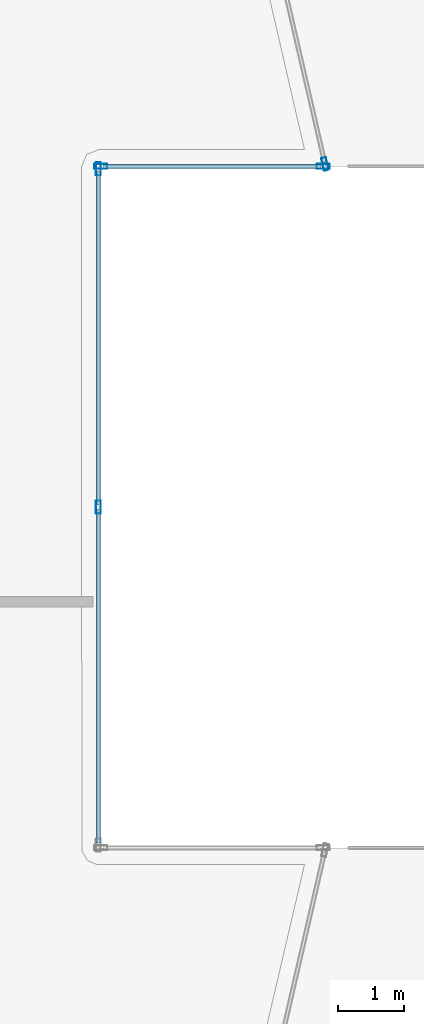
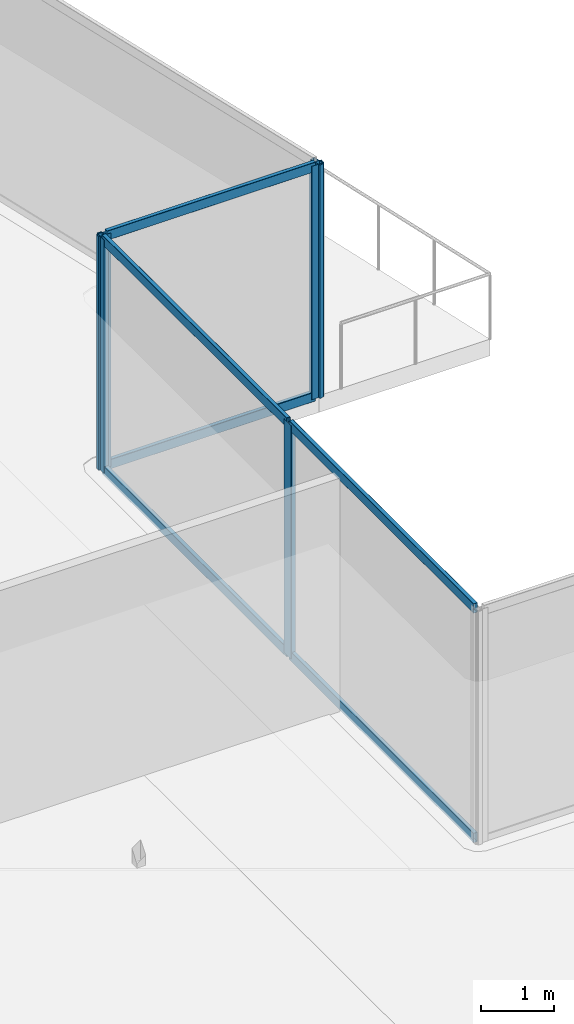
# One storey, part 25 of 47: 11 members, 3 elements without a shape of their own.
"""IFC4 building model written with IfcOpenShell, lengths in metres."""

from ifc_helpers import new_model, si_unit, direction, frame, origin, origin_2d, place, context, subcontext, project, spatial, hollow_rectangle, extrude, material, layer, layer_set, material_profile, profile_set, type_object, element, aggregate, save


model = new_model("IFC4")

# Units and contexts
model_context = context("Model", 3, precision=1e-05, world=origin(), true_north=direction((0.0, 1.0)))
body_context = subcontext(model_context, "Body", "Model", "MODEL_VIEW")
ifc_project = project(units=[si_unit("LENGTHUNIT", "METRE"), si_unit("AREAUNIT", "SQUARE_METRE"), si_unit("VOLUMEUNIT", "CUBIC_METRE"), si_unit("PLANEANGLEUNIT", "RADIAN"), si_unit("MASSUNIT", "GRAM", prefix="KILO")], contexts=[model_context])

# Site, building, storey
site_placement = place(None, origin())
site = spatial("IfcSite", under=ifc_project, at=site_placement, CompositionType="ELEMENT")
building_placement = place(site_placement, origin())
building = spatial("IfcBuilding", under=site, at=building_placement, Name="Qorvath Tower", CompositionType="ELEMENT")
storey_placement = place(building_placement, frame((0.0, 0.0, 74.39990234375)))
storey = spatial("IfcBuildingStorey", under=building, at=storey_placement, Name="L16", CompositionType="ELEMENT", Elevation=74.39990234375)

# Curtain wall, members
ifc_material_1 = material(Name="Anodised aluminium and triple low-E glass", Category="aluminium")
ifc_layer = layer(ifc_material_1, 0.179931640625)
ifc_layer_set = layer_set([ifc_layer], Name="CW-SYS-5")
curtain_wall_type = type_object("IfcCurtainWallType", Name="CW-SYS-5", PredefinedType="NOTDEFINED", material=ifc_layer_set)
curtain_wall_1_placement = place(storey_placement, origin())
curtain_wall_1 = element("IfcCurtainWall", 1, at=curtain_wall_1_placement, inside=storey, type_object=curtain_wall_type, Name="Curtain Wall CW-5 CW-T-L16-13.1", PredefinedType="NOTDEFINED")
ifc_material_2 = material(Name="Anodised aluminium 6063-T6", Category="aluminium")
ifc_material_profile_1 = material_profile(ifc_material_2, hollow_rectangle(XDim=0.074951171875, YDim=0.199951171875, WallThickness=0.00390625, InnerFilletRadius=0.00390625, OuterFilletRadius=0.008056640625, at=origin_2d()), Name="CWM 200x75")
ifc_profile_set_1 = profile_set([ifc_material_profile_1], Name="Anodised aluminium 6063-T6")
member_type_1 = type_object("IfcMemberType", Name="CWM-200", PredefinedType="MULLION", material=ifc_profile_set_1)
member_1_placement = place(storey_placement, frame((2.69580078125, 0.0, 0.0), z_axis=(0.0, 0.0, 1.0), x_axis=(-1.0, 0.0, 0.0)))
member_1 = element("IfcMember", 2, at=member_1_placement, type_object=member_type_1, Name="CW-5 mullion 2", PredefinedType="MULLION", context=body_context, shape_type="SweptSolid", body=[
    extrude(hollow_rectangle(XDim=0.074951171875, YDim=0.199951171875, WallThickness=0.00390625, InnerFilletRadius=0.00390625, OuterFilletRadius=0.008056640625, at=origin_2d()), origin(), (0.0, 0.0, 1.0), 3.920166015625),
])
member_2_placement = place(storey_placement, frame((2.69580078125, 5.146484375, 0.0), z_axis=(0.0, 0.0, 1.0), x_axis=(-1.0, 0.0, 0.0)))
member_2 = element("IfcMember", 3, at=member_2_placement, type_object=member_type_1, Name="CW-5 mullion 3", PredefinedType="MULLION", context=body_context, shape_type="SweptSolid", body=[
    extrude(hollow_rectangle(XDim=0.074951171875, YDim=0.199951171875, WallThickness=0.00390625, InnerFilletRadius=0.00390625, OuterFilletRadius=0.008056640625, at=origin_2d()), origin(), (0.0, 0.0, 1.0), 3.920166015625),
])

curtain_wall_2_placement = place(storey_placement, origin())
curtain_wall_2 = element("IfcCurtainWall", 4, at=curtain_wall_2_placement, inside=storey, type_object=curtain_wall_type, Name="Curtain Wall CW-5 CW-T-L16-14.1", PredefinedType="NOTDEFINED")
member_3_placement = place(storey_placement, frame((2.7333984375, 5.18408203125, 0.0), z_axis=(0.0, 0.0, 1.0), x_axis=(0.0, 1.0, 0.0)))
member_3 = element("IfcMember", 5, at=member_3_placement, type_object=member_type_1, Name="CW-5 mullion 1", PredefinedType="MULLION", context=body_context, shape_type="SweptSolid", body=[
    extrude(hollow_rectangle(XDim=0.074951171875, YDim=0.199951171875, WallThickness=0.00390625, InnerFilletRadius=0.00390625, OuterFilletRadius=0.008056640625, at=origin_2d()), origin(), (0.0, 0.0, 1.0), 3.920166015625),
])
member_4_placement = place(storey_placement, frame((6.114501953125, 5.18408203125, 0.0), z_axis=(0.0, 0.0, 1.0), x_axis=(0.0, 1.0, 0.0)))
member_4 = element("IfcMember", 6, at=member_4_placement, type_object=member_type_1, Name="CW-5 mullion 2", PredefinedType="MULLION", context=body_context, shape_type="SweptSolid", body=[
    extrude(hollow_rectangle(XDim=0.074951171875, YDim=0.199951171875, WallThickness=0.00390625, InnerFilletRadius=0.00390625, OuterFilletRadius=0.008056640625, at=origin_2d()), origin(), (0.0, 0.0, 1.0), 3.920166015625),
])

# Curtain wall, member
curtain_wall_3_placement = place(storey_placement, origin())
curtain_wall_3 = element("IfcCurtainWall", 7, at=curtain_wall_3_placement, inside=storey, type_object=curtain_wall_type, Name="Curtain Wall CW-5 CW-T-L16-15.1", PredefinedType="NOTDEFINED")
member_5_placement = place(storey_placement, frame((6.1435546875, 5.220703125, 0.0), z_axis=(0.0, 0.0, 1.0), x_axis=(-0.97438839911, -0.224871624887, 0.0)))
member_5 = element("IfcMember", 8, at=member_5_placement, type_object=member_type_1, Name="CW-5 mullion 1", PredefinedType="MULLION", context=body_context, shape_type="SweptSolid", body=[
    extrude(hollow_rectangle(XDim=0.074951171875, YDim=0.199951171875, WallThickness=0.00390625, InnerFilletRadius=0.00390625, OuterFilletRadius=0.008056640625, at=origin_2d()), origin(), (0.0, 0.0, 1.0), 3.920166015625),
])
aggregate(curtain_wall_3, [member_5])

# Member
ifc_material_3 = material(Name="Anodised aluminium 6063-T6", Category="aluminium")
ifc_material_profile_2 = material_profile(ifc_material_3, hollow_rectangle(XDim=0.06494140625, YDim=0.159912109375, WallThickness=0.00341796875, InnerFilletRadius=0.00341796875, OuterFilletRadius=0.007080078125, at=origin_2d()), Name="CWT 160x65")
ifc_profile_set_2 = profile_set([ifc_material_profile_2], Name="Anodised aluminium 6063-T6")
member_type_2 = type_object("IfcMemberType", Name="CWT-160", PredefinedType="USERDEFINED", material=ifc_profile_set_2)
member_6_placement = place(storey_placement, frame((2.69580078125, -5.109130859375, 0.032470703125), z_axis=(0.0, 1.0, 0.0), x_axis=(-1.0, 0.0, 0.0)))
member_6 = element("IfcMember", 9, at=member_6_placement, type_object=member_type_2, Name="CW-5 transom 1.1", ObjectType="TRANSOM", PredefinedType="USERDEFINED", context=body_context, shape_type="SweptSolid", body=[
    extrude(hollow_rectangle(XDim=0.06494140625, YDim=0.159912109375, WallThickness=0.00341796875, InnerFilletRadius=0.00341796875, OuterFilletRadius=0.007080078125, at=origin_2d()), origin(), (0.0, 0.0, 1.0), 5.071533203125),
])

member_7_placement = place(storey_placement, frame((2.69580078125, -5.109130859375, 3.8876953125), z_axis=(0.0, 1.0, 0.0), x_axis=(-1.0, 0.0, 0.0)))
member_7 = element("IfcMember", 10, at=member_7_placement, type_object=member_type_2, Name="CW-5 transom 1.2", ObjectType="TRANSOM", PredefinedType="USERDEFINED", context=body_context, shape_type="SweptSolid", body=[
    extrude(hollow_rectangle(XDim=0.06494140625, YDim=0.159912109375, WallThickness=0.00341796875, InnerFilletRadius=0.00341796875, OuterFilletRadius=0.007080078125, at=origin_2d()), origin(), (0.0, 0.0, 1.0), 5.071533203125),
])

member_8_placement = place(storey_placement, frame((2.69580078125, 0.03759765625, 0.032470703125), z_axis=(0.0, 1.0, 0.0), x_axis=(-1.0, 0.0, 0.0)))
member_8 = element("IfcMember", 11, at=member_8_placement, type_object=member_type_2, Name="CW-5 transom 2.1", ObjectType="TRANSOM", PredefinedType="USERDEFINED", context=body_context, shape_type="SweptSolid", body=[
    extrude(hollow_rectangle(XDim=0.06494140625, YDim=0.159912109375, WallThickness=0.00341796875, InnerFilletRadius=0.00341796875, OuterFilletRadius=0.007080078125, at=origin_2d()), origin(), (0.0, 0.0, 1.0), 5.071533203125),
])

member_9_placement = place(storey_placement, frame((2.69580078125, 0.03759765625, 3.8876953125), z_axis=(0.0, 1.0, 0.0), x_axis=(-1.0, 0.0, 0.0)))
member_9 = element("IfcMember", 12, at=member_9_placement, type_object=member_type_2, Name="CW-5 transom 2.2", ObjectType="TRANSOM", PredefinedType="USERDEFINED", context=body_context, shape_type="SweptSolid", body=[
    extrude(hollow_rectangle(XDim=0.06494140625, YDim=0.159912109375, WallThickness=0.00341796875, InnerFilletRadius=0.00341796875, OuterFilletRadius=0.007080078125, at=origin_2d()), origin(), (0.0, 0.0, 1.0), 5.071533203125),
])

aggregate(curtain_wall_1, [member_1, member_2, member_6, member_7, member_8, member_9])

member_10_placement = place(storey_placement, frame((2.770751953125, 5.18408203125, 0.032470703125), z_axis=(1.0, 0.0, 0.0), x_axis=(0.0, 1.0, 0.0)))
member_10 = element("IfcMember", 13, at=member_10_placement, type_object=member_type_2, Name="CW-5 transom 1.1", ObjectType="TRANSOM", PredefinedType="USERDEFINED", context=body_context, shape_type="SweptSolid", body=[
    extrude(hollow_rectangle(XDim=0.06494140625, YDim=0.159912109375, WallThickness=0.00341796875, InnerFilletRadius=0.00341796875, OuterFilletRadius=0.007080078125, at=origin_2d()), origin(), (0.0, 0.0, 1.0), 3.30615234375),
])

member_11_placement = place(storey_placement, frame((2.770751953125, 5.18408203125, 3.8876953125), z_axis=(1.0, 0.0, 0.0), x_axis=(0.0, 1.0, 0.0)))
member_11 = element("IfcMember", 14, at=member_11_placement, type_object=member_type_2, Name="CW-5 transom 1.2", ObjectType="TRANSOM", PredefinedType="USERDEFINED", context=body_context, shape_type="SweptSolid", body=[
    extrude(hollow_rectangle(XDim=0.06494140625, YDim=0.159912109375, WallThickness=0.00341796875, InnerFilletRadius=0.00341796875, OuterFilletRadius=0.007080078125, at=origin_2d()), origin(), (0.0, 0.0, 1.0), 3.30615234375),
])

aggregate(curtain_wall_2, [member_3, member_4, member_10, member_11])

save(model, "model.ifc")
